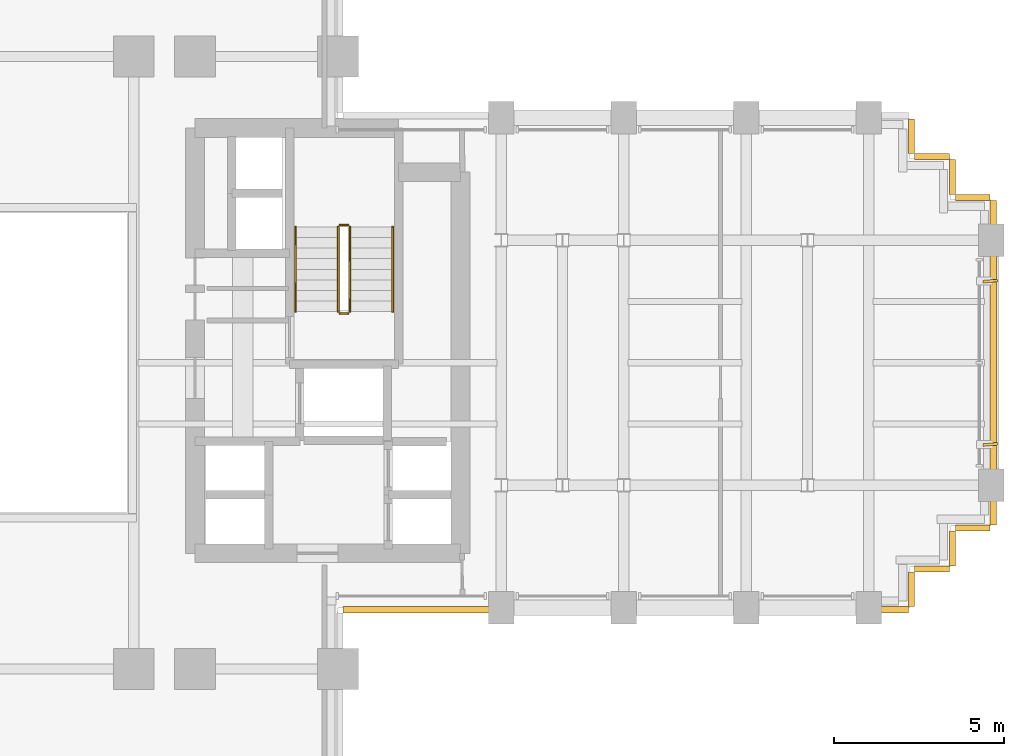
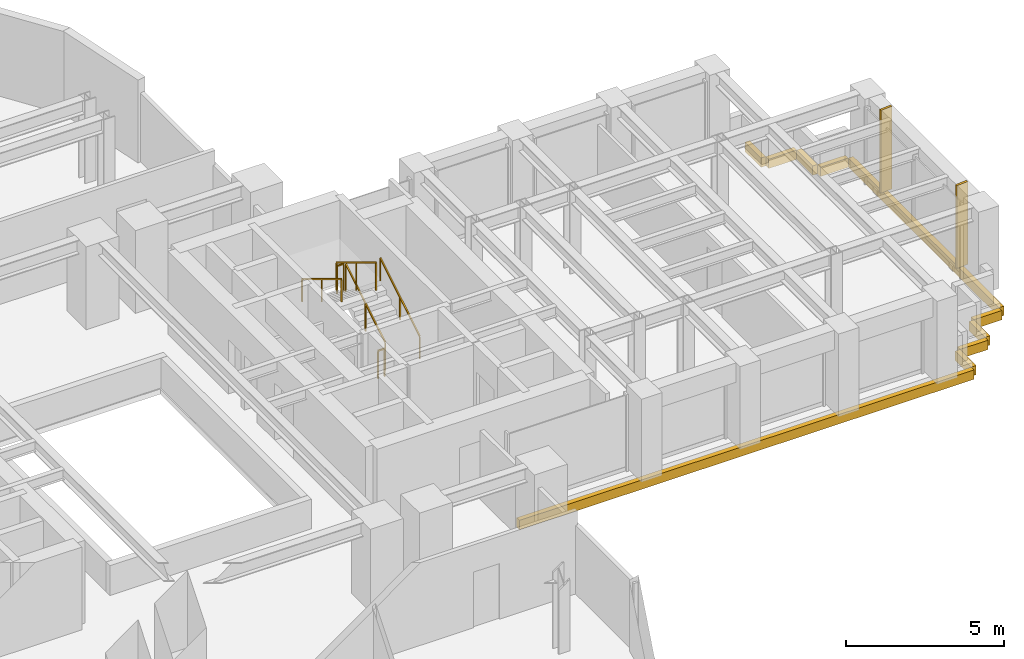
# One storey, part 15 of 16: 10 coverings, 6 railings, 2 shading devices.
"""IFC4 building model written with IfcOpenShell, lengths in metres."""

from ifc_helpers import new_model, si_unit, direction, frame, origin, origin_2d, place, context, subcontext, project, spatial, rectangle, extrude, source, transform, mapped, material, layer, layer_set, type_object, element, save


model = new_model("IFC4")

# Units and contexts
model_context = context("Model", 3, precision=1e-05, world=origin(), true_north=direction((0.0, 1.0)))
body_context = subcontext(model_context, "Body", "Model", "MODEL_VIEW")
ifc_project = project(units=[si_unit("LENGTHUNIT", "METRE"), si_unit("AREAUNIT", "SQUARE_METRE"), si_unit("VOLUMEUNIT", "CUBIC_METRE"), si_unit("PLANEANGLEUNIT", "RADIAN"), si_unit("MASSUNIT", "GRAM", prefix="KILO")], contexts=[model_context])

# Site, building, storey
site_placement = place(None, origin())
site = spatial("IfcSite", under=ifc_project, at=site_placement, CompositionType="ELEMENT")
building_placement = place(site_placement, origin())
building = spatial("IfcBuilding", under=site, at=building_placement, Name="Keilestroom Media Tower", CompositionType="ELEMENT")
storey_placement = place(building_placement, frame((0.0, 0.0, 51.0)))
storey = spatial("IfcBuildingStorey", under=building, at=storey_placement, Name="L12", CompositionType="ELEMENT", Elevation=51.0)

# Railings
ifc_material_1 = material(Name="Brushed Stainless Steel 1.4301", Category="steel")
railing_type_1 = type_object("IfcRailingType", Name="Stair-Pitch-Handrail-920", PredefinedType="HANDRAIL", material=ifc_material_1)
railing_1_placement = place(storey_placement, frame((11.2099609375, 1.5, 0.18896484375)))
element("IfcRailing", 1, at=railing_1_placement, inside=storey, type_object=railing_type_1, Name="L12 ST-2 stair handrail 1", PredefinedType="HANDRAIL", context=body_context, shape_type="SweptSolid", body=[
    extrude(rectangle(XDim=0.048095703125, YDim=0.048095703125, at=origin_2d()), frame((0.0, 0.0, 0.8759765625), z_axis=(0.0, 0.855470815493, 0.517851024754), x_axis=(-1.0, 0.0, 0.0)), (0.0, 0.0, 1.0), 2.917724609375),
    extrude(rectangle(XDim=0.0419921875, YDim=0.0419921875, at=origin_2d()), origin(), (0.0, 0.0, 1.0), 0.84375),
    extrude(rectangle(XDim=0.0419921875, YDim=0.0419921875, at=origin_2d()), frame((0.0, 1.248046875, 0.75537109375)), (0.0, 0.0, 1.0), 0.84375),
    extrude(rectangle(XDim=0.0419921875, YDim=0.0419921875, at=origin_2d()), frame((0.0, 2.49609375, 1.510986328125)), (0.0, 0.0, 1.0), 0.84375),
])
railing_2_placement = place(storey_placement, frame((8.35009765625, 3.99609375, 1.888916015625)))
element("IfcRailing", 2, at=railing_2_placement, inside=storey, type_object=railing_type_1, Name="L12 ST-2 stair handrail 2", PredefinedType="HANDRAIL", context=body_context, shape_type="SweptSolid", body=[
    extrude(rectangle(XDim=0.048095703125, YDim=0.048095703125, at=origin_2d()), frame((0.0, 0.0, 0.8759765625), z_axis=(0.0, -0.855470815493, 0.517851024754), x_axis=(1.0, 0.0, 0.0)), (0.0, 0.0, 1.0), 2.917724609375),
    extrude(rectangle(XDim=0.0419921875, YDim=0.0419921875, at=origin_2d()), origin(), (0.0, 0.0, 1.0), 0.84375),
    extrude(rectangle(XDim=0.0419921875, YDim=0.0419921875, at=origin_2d()), frame((0.0, -1.248046875, 0.75537109375)), (0.0, 0.0, 1.0), 0.84375),
    extrude(rectangle(XDim=0.0419921875, YDim=0.0419921875, at=origin_2d()), frame((0.0, -2.49609375, 1.510986328125)), (0.0, 0.0, 1.0), 0.84375),
])
ifc_material_2 = material(Name="Painted Steel Balustrade", Category="steel")
railing_type_2 = type_object("IfcRailingType", Name="Stair-Well-And-Landing-Guard-1100", PredefinedType="GUARDRAIL", material=ifc_material_2)
railing_3_placement = place(storey_placement, frame((9.949951171875, 1.5, 0.18896484375)))
element("IfcRailing", 3, at=railing_3_placement, inside=storey, type_object=railing_type_2, Name="L12 ST-2 stair guard 1", PredefinedType="GUARDRAIL", context=body_context, shape_type="SweptSolid", body=[
    extrude(rectangle(XDim=0.048095703125, YDim=0.048095703125, at=origin_2d()), frame((0.0, 0.0, 1.076171875), z_axis=(0.0, 0.855470815493, 0.517851024754), x_axis=(-1.0, 0.0, 0.0)), (0.0, 0.0, 1.0), 2.917724609375),
    extrude(rectangle(XDim=0.0419921875, YDim=0.0419921875, at=origin_2d()), origin(), (0.0, 0.0, 1.0), 1.0439453125),
    extrude(rectangle(XDim=0.0419921875, YDim=0.0419921875, at=origin_2d()), frame((0.0, 1.248046875, 0.75537109375)), (0.0, 0.0, 1.0), 1.0439453125),
    extrude(rectangle(XDim=0.0419921875, YDim=0.0419921875, at=origin_2d()), frame((0.0, 2.49609375, 1.510986328125)), (0.0, 0.0, 1.0), 1.0439453125),
])
railing_4_placement = place(storey_placement, frame((9.89990234375, 4.0458984375, 1.699951171875)))
element("IfcRailing", 4, at=railing_4_placement, inside=storey, type_object=railing_type_2, Name="L12 ST-2 stair guard 2", PredefinedType="GUARDRAIL", context=body_context, shape_type="SweptSolid", body=[
    extrude(rectangle(XDim=0.048095703125, YDim=0.048095703125, at=origin_2d()), frame((0.0, 0.0, 1.076171875), z_axis=(-1.0, 0.0, 0.0), x_axis=(0.0, -1.0, 0.0)), (0.0, 0.0, 1.0), 0.239990234375),
    extrude(rectangle(XDim=0.0419921875, YDim=0.0419921875, at=origin_2d()), origin(), (0.0, 0.0, 1.0), 1.0439453125),
    extrude(rectangle(XDim=0.0419921875, YDim=0.0419921875, at=origin_2d()), frame((-0.239990234375, 0.0, 0.0)), (0.0, 0.0, 1.0), 1.0439453125),
])
railing_5_placement = place(storey_placement, frame((9.610107421875, 3.99609375, 1.888916015625)))
element("IfcRailing", 5, at=railing_5_placement, inside=storey, type_object=railing_type_2, Name="L12 ST-2 stair guard 3", PredefinedType="GUARDRAIL", context=body_context, shape_type="SweptSolid", body=[
    extrude(rectangle(XDim=0.048095703125, YDim=0.048095703125, at=origin_2d()), frame((0.0, 0.0, 1.076171875), z_axis=(0.0, -0.855470815493, 0.517851024754), x_axis=(1.0, 0.0, 0.0)), (0.0, 0.0, 1.0), 2.917724609375),
    extrude(rectangle(XDim=0.0419921875, YDim=0.0419921875, at=origin_2d()), origin(), (0.0, 0.0, 1.0), 1.0439453125),
    extrude(rectangle(XDim=0.0419921875, YDim=0.0419921875, at=origin_2d()), frame((0.0, -1.248046875, 0.75537109375)), (0.0, 0.0, 1.0), 1.0439453125),
    extrude(rectangle(XDim=0.0419921875, YDim=0.0419921875, at=origin_2d()), frame((0.0, -2.49609375, 1.510986328125)), (0.0, 0.0, 1.0), 1.0439453125),
])
railing_6_placement = place(storey_placement, frame((9.89990234375, 1.449951171875, 0.0)))
element("IfcRailing", 6, at=railing_6_placement, inside=storey, type_object=railing_type_2, Name="L12 ST-2 stair guard 4", PredefinedType="GUARDRAIL", context=body_context, shape_type="SweptSolid", body=[
    extrude(rectangle(XDim=0.048095703125, YDim=0.048095703125, at=origin_2d()), frame((0.0, 0.0, 1.076171875), z_axis=(-1.0, 0.0, 0.0), x_axis=(0.0, -1.0, 0.0)), (0.0, 0.0, 1.0), 0.239990234375),
    extrude(rectangle(XDim=0.0419921875, YDim=0.0419921875, at=origin_2d()), origin(), (0.0, 0.0, 1.0), 1.0439453125),
    extrude(rectangle(XDim=0.0419921875, YDim=0.0419921875, at=origin_2d()), frame((-0.239990234375, 0.0, 0.0)), (0.0, 0.0, 1.0), 1.0439453125),
])

# Shading devices
ifc_material_3 = material(Name="Bronze Anodised Aluminium", Category="aluminium")
shading_device_type = type_object("IfcShadingDeviceType", Name="Facade-Vertical-Sunshade-Fin-SHD-1", PredefinedType="USERDEFINED", material=ifc_material_3)
shared_shape_1 = source(origin(), body_context, "Body", "SweptSolid", [
    extrude(rectangle(XDim=0.419921875, YDim=0.080078125, at=origin_2d()), origin(), (0.0, 0.0, 1.0), 3.199951171875),
])
for number, where, z_axis, x_axis, name in (
    (7, (28.77001953125, -2.39990234375, 0.0), (0.0, 0.0, 1.0), (0.996792860627, 0.080024952375, 0.0), "L12 Twisting Sunshade Fin SHD-1 011"),
    (8, (28.77001953125, 2.39990234375, 0.0), (0.0, 0.0, 1.0), (0.996792860627, 0.080024952375, 0.0), "L12 Twisting Sunshade Fin SHD-1 012"),
):
    element("IfcShadingDevice", number, at=place(storey_placement, frame(where, z_axis=z_axis, x_axis=x_axis)), inside=storey, type_object=shading_device_type, Name=name, ObjectType="SUNSHADE", PredefinedType="USERDEFINED", context=body_context, shape_type="MappedRepresentation", body=[
        mapped(shared_shape_1, transform((0.0, 0.0, 0.0), x_axis=(1.0, 0.0, 0.0), y_axis=(0.0, 1.0, 0.0), z_axis=(0.0, 0.0, 1.0), scale=1.0)),
    ])

# Coverings
ifc_material_4 = material(Name="Precast concrete C40/50", Category="concrete")
ifc_layer = layer(ifc_material_4, 0.1201171875)
ifc_layer_set = layer_set([ifc_layer], Name="Precast concrete C40/50")
covering_type = type_object("IfcCoveringType", Name="Exterior-Precast-Spandrel-Cladding-Panel-120", PredefinedType="CLADDING", material=ifc_layer_set)
shared_shape_2 = source(origin(), body_context, "Body", "SweptSolid", [
    extrude(rectangle(XDim=1.02001953125, YDim=0.179931640625, at=origin_2d()), origin(), (0.0, 0.0, 1.0), 0.360107421875),
])
for number, where, z_axis, x_axis, name in (
    (9, (28.260009765625, -4.860107421875, -0.5400390625), (0.0, 0.0, 1.0), (-1.0, 0.0, 0.0), "L12 Precast Slab-Edge Fascia Cornice 01"),
    (10, (27.659912109375, -5.4599609375, -0.5400390625), (0.0, 0.0, 1.0), (0.0, -1.0, 0.0), "L12 Precast Slab-Edge Fascia Cornice 02"),
    (11, (27.06005859375, -6.06005859375, -0.5400390625), (0.0, 0.0, 1.0), (-1.0, 0.0, 0.0), "L12 Precast Slab-Edge Fascia Cornice 03"),
    (12, (26.4599609375, -6.659912109375, -0.5400390625), (0.0, 0.0, 1.0), (0.0, -1.0, 0.0), "L12 Precast Slab-Edge Fascia Cornice 04"),
    (13, (26.4599609375, 6.659912109375, -0.5400390625), (0.0, 0.0, 1.0), (0.0, -1.0, 0.0), "L12 Precast Slab-Edge Fascia Cornice 38"),
    (14, (27.06005859375, 6.06005859375, -0.5400390625), (0.0, 0.0, 1.0), (1.0, 0.0, 0.0), "L12 Precast Slab-Edge Fascia Cornice 39"),
    (15, (27.659912109375, 5.4599609375, -0.5400390625), (0.0, 0.0, 1.0), (0.0, -1.0, 0.0), "L12 Precast Slab-Edge Fascia Cornice 40"),
    (16, (28.260009765625, 4.860107421875, -0.5400390625), (0.0, 0.0, 1.0), (1.0, 0.0, 0.0), "L12 Precast Slab-Edge Fascia Cornice 41"),
):
    element("IfcCovering", number, at=place(storey_placement, frame(where, z_axis=z_axis, x_axis=x_axis)), inside=storey, type_object=covering_type, Name=name, PredefinedType="CLADDING", context=body_context, shape_type="MappedRepresentation", body=[
        mapped(shared_shape_2, transform((0.0, 0.0, 0.0), x_axis=(1.0, 0.0, 0.0), y_axis=(0.0, 1.0, 0.0), z_axis=(0.0, 0.0, 1.0), scale=1.0)),
    ])
shared_shape_3 = source(origin(), body_context, "Body", "SweptSolid", [
    extrude(rectangle(XDim=16.6201171875, YDim=0.179931640625, at=origin_2d()), origin(), (0.0, 0.0, 1.0), 0.360107421875),
])
covering_1_placement = place(storey_placement, frame((18.06005859375, -7.260009765625, -0.5400390625), z_axis=(0.0, 0.0, 1.0), x_axis=(-1.0, 0.0, 0.0)))
element("IfcCovering", 17, at=covering_1_placement, inside=storey, type_object=covering_type, Name="L12 Precast Slab-Edge Fascia Cornice 05", PredefinedType="CLADDING", context=body_context, shape_type="MappedRepresentation", body=[
    mapped(shared_shape_3, transform((0.0, 0.0, 0.0), x_axis=(1.0, 0.0, 0.0), y_axis=(0.0, 1.0, 0.0), z_axis=(0.0, 0.0, 1.0), scale=1.0)),
])
shared_shape_4 = source(origin(), body_context, "Body", "SweptSolid", [
    extrude(rectangle(XDim=9.5400390625, YDim=0.179931640625, at=origin_2d()), origin(), (0.0, 0.0, 1.0), 0.360107421875),
])
covering_2_placement = place(storey_placement, frame((28.860107421875, 0.0, -0.5400390625), z_axis=(0.0, 0.0, 1.0), x_axis=(0.0, -1.0, 0.0)))
element("IfcCovering", 18, at=covering_2_placement, inside=storey, type_object=covering_type, Name="L12 Precast Slab-Edge Fascia Cornice 42", PredefinedType="CLADDING", context=body_context, shape_type="MappedRepresentation", body=[
    mapped(shared_shape_4, transform((0.0, 0.0, 0.0), x_axis=(1.0, 0.0, 0.0), y_axis=(0.0, 1.0, 0.0), z_axis=(0.0, 0.0, 1.0), scale=1.0)),
])

save(model, "model.ifc")
